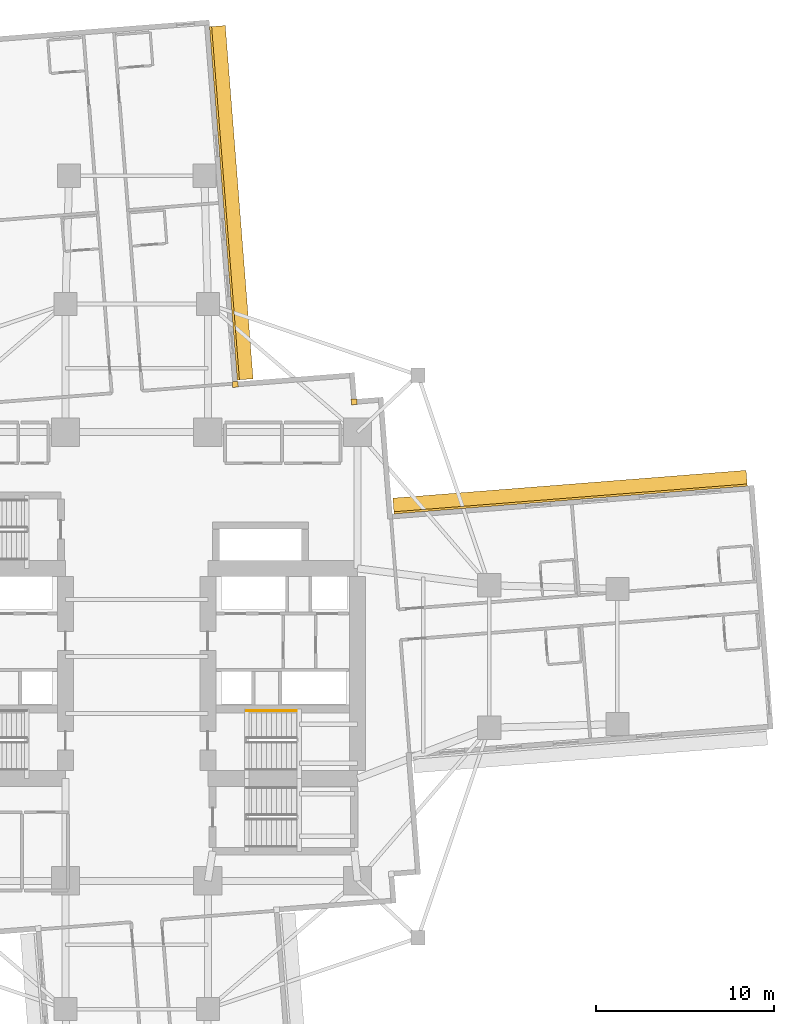
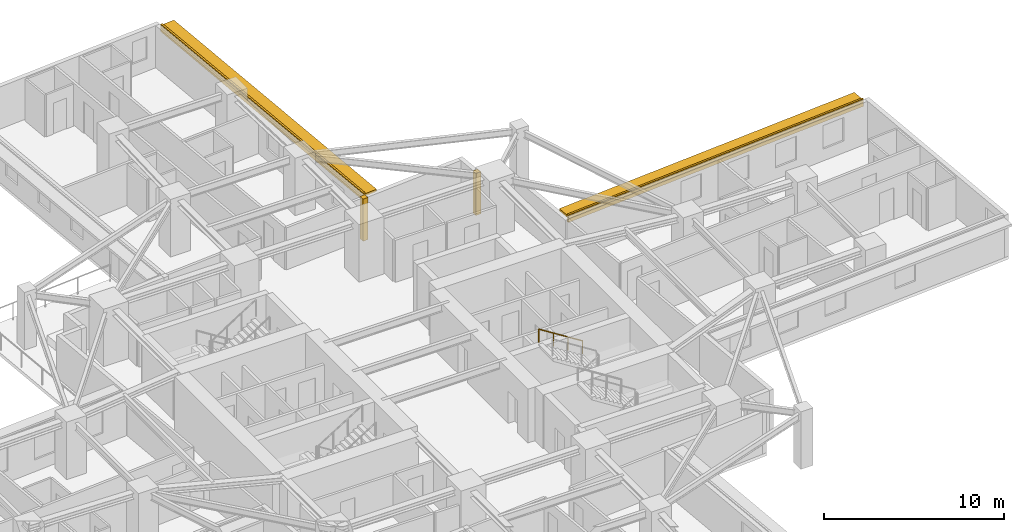
# One storey, part 13 of 13: 4 coverings, 2 shading devices, 1 railing.
"""IFC4 building model written with IfcOpenShell, lengths in metres."""

from ifc_helpers import new_model, si_unit, direction, frame, origin, origin_2d, place, context, subcontext, project, spatial, rectangle, circle, extrude, material, layer, layer_set, type_object, element, save


model = new_model("IFC4")

# Units and contexts
model_context = context("Model", 3, precision=1e-05, world=origin(), true_north=direction((0.0, 1.0)))
body_context = subcontext(model_context, "Body", "Model", "MODEL_VIEW")
ifc_project = project(units=[si_unit("LENGTHUNIT", "METRE"), si_unit("AREAUNIT", "SQUARE_METRE"), si_unit("VOLUMEUNIT", "CUBIC_METRE"), si_unit("PLANEANGLEUNIT", "RADIAN"), si_unit("MASSUNIT", "GRAM", prefix="KILO")], contexts=[model_context])

# Site, building, storey
site_placement = place(None, origin())
site = spatial("IfcSite", under=ifc_project, at=site_placement, CompositionType="ELEMENT")
building_placement = place(site_placement, origin())
building = spatial("IfcBuilding", under=site, at=building_placement, Name="Qingluan Cross Belvedere", CompositionType="ELEMENT")
storey_placement = place(building_placement, frame((0.0, 0.0, 43.199951171875)))
storey = spatial("IfcBuildingStorey", under=building, at=storey_placement, Name="L11", CompositionType="ELEMENT", Elevation=43.199951171875)

# Coverings
ifc_material_1 = material(Name="Precast concrete C45", Category="concrete")
ifc_layer_1 = layer(ifc_material_1, 0.1201171875, Name="ConcreteSpandrelCladding_120")
ifc_layer_set_1 = layer_set([ifc_layer_1], Name="Precast concrete C45")
covering_type = type_object("IfcCoveringType", Name="ConcreteSpandrelCladding_120", PredefinedType="CLADDING", material=ifc_layer_set_1)
for number, where, z_axis, x_axis, name in (
    (1, (24.370849609375, 8.849365234375, 2.400146484375), (0.0, 0.0, 1.0), (-0.996917430244, -0.078457869429, 0.0), "Spandrel cladding L11-EB"),
    (2, (4.927978515625, 25.455078125, 2.400146484375), (0.0, 0.0, 1.0), (-0.078457869429, 0.996917430244, 0.0), "Spandrel cladding L11-NA"),
):
    element("IfcCovering", number, at=place(storey_placement, frame(where, z_axis=z_axis, x_axis=x_axis)), inside=storey, type_object=covering_type, Name=name, PredefinedType="CLADDING", context=body_context, shape_type="SweptSolid", body=[
        extrude(rectangle(XDim=19.89990234375, YDim=0.1201171875, at=origin_2d()), origin(), (0.0, 0.0, 1.0), 0.52001953125),
    ])
for number, where, z_axis, x_axis, name in (
    (3, (12.215576171875, 14.302490234375, 0.0), (0.0, 0.0, 1.0), (0.996917333733, 0.078459095728, 0.0), "Corner closure L11-NE1"),
    (4, (5.5380859375, 15.281494140625, 0.0), (0.0, 0.0, 1.0), (0.996917333733, 0.078459095728, 0.0), "Corner closure L11-NE2"),
):
    element("IfcCovering", number, at=place(storey_placement, frame(where, z_axis=z_axis, x_axis=x_axis)), inside=storey, type_object=covering_type, Name=name, PredefinedType="CLADDING", context=body_context, shape_type="SweptSolid", body=[
        extrude(rectangle(XDim=0.320068359375, YDim=0.320068359375, at=origin_2d()), origin(), (0.0, 0.0, 1.0), 2.860107421875),
    ])

# Shading devices
ifc_material_2 = material(Name="Precast concrete C45", Category="concrete")
ifc_layer_2 = layer(ifc_material_2, 0.159912109375, Name="ConcreteSunshadeBand_900")
ifc_layer_set_2 = layer_set([ifc_layer_2], Name="Precast concrete C45")
shading_device_type = type_object("IfcShadingDeviceType", Name="ConcreteSunshadeBand_900", PredefinedType="USERDEFINED", material=ifc_layer_set_2)
for number, where, z_axis, x_axis, name in (
    (5, (24.341064453125, 9.228271484375, 2.68017578125), (0.0, 0.0, 1.0), (-0.996917430244, -0.078457869429, 0.0), "Concrete SUNSHADE L11-EB"),
    (6, (5.306884765625, 25.48486328125, 2.68017578125), (0.0, 0.0, 1.0), (-0.078457869429, 0.996917430244, 0.0), "Concrete SUNSHADE L11-NA"),
):
    element("IfcShadingDevice", number, at=place(storey_placement, frame(where, z_axis=z_axis, x_axis=x_axis)), inside=storey, type_object=shading_device_type, Name=name, ObjectType="SUNSHADE", PredefinedType="USERDEFINED", context=body_context, shape_type="SweptSolid", body=[
        extrude(rectangle(XDim=19.89990234375, YDim=0.89990234375, at=origin_2d()), origin(), (0.0, 0.0, 1.0), 0.159912109375),
    ])

# Railing
ifc_material_3 = material(Name="Brushed stainless steel tubular handrail", Category="steel")
railing_type = type_object("IfcRailingType", Name="StairPitchHandrail_900", PredefinedType="HANDRAIL", material=ifc_material_3)
railing_placement = place(storey_placement, frame((8.97998046875, -3.050048828125, 2.12744140625)))
element("IfcRailing", 7, at=railing_placement, inside=storey, type_object=railing_type, Name="L11 ST2 stair handrail 2", PredefinedType="HANDRAIL", context=body_context, shape_type="SweptSolid", body=[
    extrude(circle(Radius=0.02392578125, at=origin_2d()), frame((0.0, 0.0, 0.8759765625), z_axis=(-0.844908973607, 0.0, 0.534910110503), x_axis=(0.0, -1.0, 0.0)), (0.0, 0.0, 1.0), 3.31396484375),
    extrude(circle(Radius=0.02099609375, at=origin_2d()), origin(), (0.0, 0.0, 1.0), 0.851806640625),
    extrude(circle(Radius=0.02099609375, at=origin_2d()), frame((-0.933349609375, 0.0, 0.5908203125)), (0.0, 0.0, 1.0), 0.851806640625),
    extrude(circle(Radius=0.02099609375, at=origin_2d()), frame((-1.86669921875, 0.0, 1.181884765625)), (0.0, 0.0, 1.0), 0.851806640625),
    extrude(circle(Radius=0.02099609375, at=origin_2d()), frame((-2.800048828125, 0.0, 1.772705078125)), (0.0, 0.0, 1.0), 0.851806640625),
])

save(model, "model.ifc")
